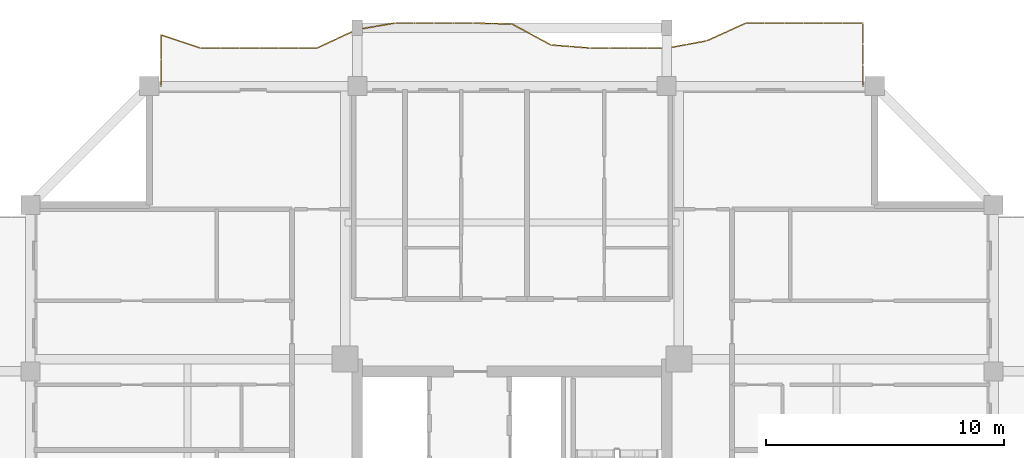
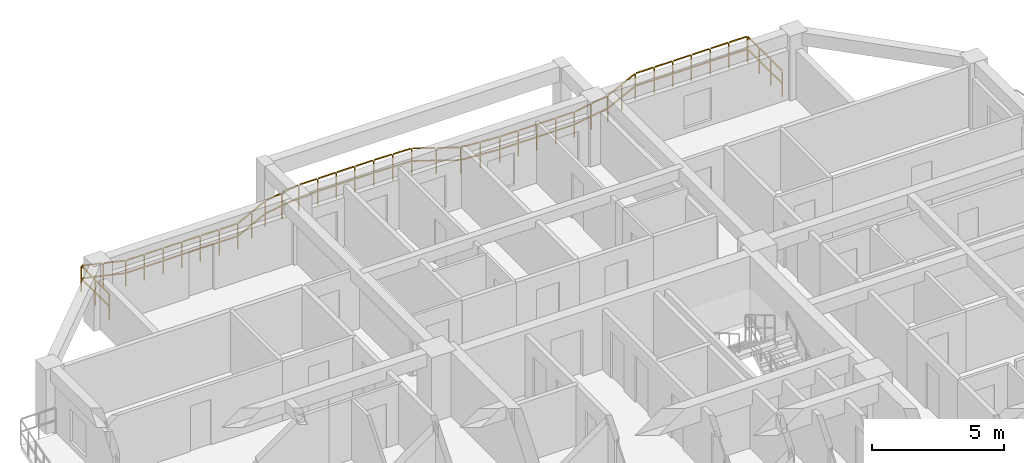
# One storey, part 13 of 13: 1 railing.
"""IFC4 building model written with IfcOpenShell, lengths in metres."""

from ifc_helpers import new_model, si_unit, direction, frame, origin, origin_2d, place, context, subcontext, project, spatial, rectangle, extrude, material, type_object, element, save


model = new_model("IFC4")

# Units and contexts
model_context = context("Model", 3, precision=1e-05, world=origin(), true_north=direction((0.0, 1.0)))
body_context = subcontext(model_context, "Body", "Model", "MODEL_VIEW")
ifc_project = project(units=[si_unit("LENGTHUNIT", "METRE"), si_unit("AREAUNIT", "SQUARE_METRE"), si_unit("VOLUMEUNIT", "CUBIC_METRE"), si_unit("PLANEANGLEUNIT", "RADIAN"), si_unit("MASSUNIT", "GRAM", prefix="KILO")], contexts=[model_context])

# Site, building, storey
site_placement = place(None, origin())
site = spatial("IfcSite", under=ifc_project, at=site_placement, CompositionType="ELEMENT")
building_placement = place(site_placement, origin())
building = spatial("IfcBuilding", under=site, at=building_placement, Name="Saelheon Loggia Tower", CompositionType="ELEMENT")
storey_placement = place(building_placement, frame((0.0, 0.0, 179.800048828125)))
storey = spatial("IfcBuildingStorey", under=building, at=storey_placement, Name="L56", CompositionType="ELEMENT", Elevation=179.800048828125)

# Railing
ifc_material = material(Name="Architectural Precast Concrete and Laminated Glass Guard", Category="concrete")
railing_type = type_object("IfcRailingType", Name="Guard_Loggia_RL_LOG", PredefinedType="BALUSTRADE", material=ifc_material)
railing_placement = place(storey_placement, frame((52.75, 48.0, 0.0)))
element("IfcRailing", 1, at=railing_placement, inside=storey, type_object=railing_type, Name="L56 North Loggia Balustrade", PredefinedType="BALUSTRADE", context=body_context, shape_type="SweptSolid", body=[
    extrude(rectangle(XDim=0.048095703125, YDim=0.048095703125, at=origin_2d()), frame((0.0, 0.033203125, 1.19580078125), z_axis=(0.0, 1.0, 0.0), x_axis=(-1.0, 0.0, 0.0)), (0.0, 0.0, 1.0), 0.81689453125),
    extrude(rectangle(XDim=0.048095703125, YDim=0.048095703125, at=origin_2d()), frame((0.0, 0.033203125, 0.60986328125), z_axis=(0.0, 1.0, 0.0), x_axis=(-1.0, 0.0, 0.0)), (0.0, 0.0, 1.0), 0.81689453125),
    extrude(rectangle(XDim=0.048095703125, YDim=0.048095703125, at=origin_2d()), frame((0.0, 0.91650390625, 1.19580078125), z_axis=(0.0, 1.0, 0.0), x_axis=(-1.0, 0.0, 0.0)), (0.0, 0.0, 1.0), 0.81689453125),
    extrude(rectangle(XDim=0.048095703125, YDim=0.048095703125, at=origin_2d()), frame((0.0, 0.91650390625, 0.60986328125), z_axis=(0.0, 1.0, 0.0), x_axis=(-1.0, 0.0, 0.0)), (0.0, 0.0, 1.0), 0.81689453125),
    extrude(rectangle(XDim=0.048095703125, YDim=0.048095703125, at=origin_2d()), frame((0.0, 1.7998046875, 1.19580078125), z_axis=(0.0, 1.0, 0.0), x_axis=(-1.0, 0.0, 0.0)), (0.0, 0.0, 1.0), 0.81689453125),
    extrude(rectangle(XDim=0.048095703125, YDim=0.048095703125, at=origin_2d()), frame((0.0, 1.7998046875, 0.60986328125), z_axis=(0.0, 1.0, 0.0), x_axis=(-1.0, 0.0, 0.0)), (0.0, 0.0, 1.0), 0.81689453125),
    extrude(rectangle(XDim=0.048095703125, YDim=0.048095703125, at=origin_2d()), frame((-0.033203125, 2.64990234375, 1.19580078125), z_axis=(-1.0, 0.0, 0.0), x_axis=(0.0, -1.0, 0.0)), (0.0, 0.0, 1.0), 0.7529296875),
    extrude(rectangle(XDim=0.048095703125, YDim=0.048095703125, at=origin_2d()), frame((-0.033203125, 2.64990234375, 0.60986328125), z_axis=(-1.0, 0.0, 0.0), x_axis=(0.0, -1.0, 0.0)), (0.0, 0.0, 1.0), 0.7529296875),
    extrude(rectangle(XDim=0.048095703125, YDim=0.048095703125, at=origin_2d()), frame((-0.852783203125, 2.64990234375, 1.19580078125), z_axis=(-1.0, 0.0, 0.0), x_axis=(0.0, -1.0, 0.0)), (0.0, 0.0, 1.0), 0.7529296875),
    extrude(rectangle(XDim=0.048095703125, YDim=0.048095703125, at=origin_2d()), frame((-0.852783203125, 2.64990234375, 0.60986328125), z_axis=(-1.0, 0.0, 0.0), x_axis=(0.0, -1.0, 0.0)), (0.0, 0.0, 1.0), 0.7529296875),
    extrude(rectangle(XDim=0.048095703125, YDim=0.048095703125, at=origin_2d()), frame((-1.672119140625, 2.64990234375, 1.19580078125), z_axis=(-1.0, 0.0, 0.0), x_axis=(0.0, -1.0, 0.0)), (0.0, 0.0, 1.0), 0.7529296875),
    extrude(rectangle(XDim=0.048095703125, YDim=0.048095703125, at=origin_2d()), frame((-1.672119140625, 2.64990234375, 0.60986328125), z_axis=(-1.0, 0.0, 0.0), x_axis=(0.0, -1.0, 0.0)), (0.0, 0.0, 1.0), 0.7529296875),
    extrude(rectangle(XDim=0.048095703125, YDim=0.048095703125, at=origin_2d()), frame((-2.49169921875, 2.64990234375, 1.19580078125), z_axis=(-1.0, 0.0, 0.0), x_axis=(0.0, -1.0, 0.0)), (0.0, 0.0, 1.0), 0.7529296875),
    extrude(rectangle(XDim=0.048095703125, YDim=0.048095703125, at=origin_2d()), frame((-2.49169921875, 2.64990234375, 0.60986328125), z_axis=(-1.0, 0.0, 0.0), x_axis=(0.0, -1.0, 0.0)), (0.0, 0.0, 1.0), 0.7529296875),
    extrude(rectangle(XDim=0.048095703125, YDim=0.048095703125, at=origin_2d()), frame((-3.31103515625, 2.64990234375, 1.19580078125), z_axis=(-1.0, 0.0, 0.0), x_axis=(0.0, -1.0, 0.0)), (0.0, 0.0, 1.0), 0.7529296875),
    extrude(rectangle(XDim=0.048095703125, YDim=0.048095703125, at=origin_2d()), frame((-3.31103515625, 2.64990234375, 0.60986328125), z_axis=(-1.0, 0.0, 0.0), x_axis=(0.0, -1.0, 0.0)), (0.0, 0.0, 1.0), 0.7529296875),
    extrude(rectangle(XDim=0.048095703125, YDim=0.048095703125, at=origin_2d()), frame((-4.130615234375, 2.64990234375, 1.19580078125), z_axis=(-1.0, 0.0, 0.0), x_axis=(0.0, -1.0, 0.0)), (0.0, 0.0, 1.0), 0.7529296875),
    extrude(rectangle(XDim=0.048095703125, YDim=0.048095703125, at=origin_2d()), frame((-4.130615234375, 2.64990234375, 0.60986328125), z_axis=(-1.0, 0.0, 0.0), x_axis=(0.0, -1.0, 0.0)), (0.0, 0.0, 1.0), 0.7529296875),
    extrude(rectangle(XDim=0.048095703125, YDim=0.048095703125, at=origin_2d()), frame((-4.947021484375, 2.63623046875, 1.19580078125), z_axis=(-0.910129532668, -0.414323827176, 0.0), x_axis=(0.414323827176, -0.910129532668, 0.0)), (0.0, 0.0, 1.0), 0.833984375),
    extrude(rectangle(XDim=0.048095703125, YDim=0.048095703125, at=origin_2d()), frame((-4.947021484375, 2.63623046875, 0.60986328125), z_axis=(-0.910129532668, -0.414323827176, 0.0), x_axis=(0.414323827176, -0.910129532668, 0.0)), (0.0, 0.0, 1.0), 0.833984375),
    extrude(rectangle(XDim=0.048095703125, YDim=0.048095703125, at=origin_2d()), frame((-5.766357421875, 2.26318359375, 1.19580078125), z_axis=(-0.910129532668, -0.414323827176, 0.0), x_axis=(0.414323827176, -0.910129532668, 0.0)), (0.0, 0.0, 1.0), 0.833984375),
    extrude(rectangle(XDim=0.048095703125, YDim=0.048095703125, at=origin_2d()), frame((-5.766357421875, 2.26318359375, 0.60986328125), z_axis=(-0.910129532668, -0.414323827176, 0.0), x_axis=(0.414323827176, -0.910129532668, 0.0)), (0.0, 0.0, 1.0), 0.833984375),
    extrude(rectangle(XDim=0.048095703125, YDim=0.048095703125, at=origin_2d()), frame((-6.58837890625, 1.897705078125, 1.19580078125), z_axis=(-0.983254793894, -0.182236138797, 0.0), x_axis=(0.182236138797, -0.983254793894, 0.0)), (0.0, 0.0, 1.0), 0.766845703125),
    extrude(rectangle(XDim=0.048095703125, YDim=0.048095703125, at=origin_2d()), frame((-6.58837890625, 1.897705078125, 0.60986328125), z_axis=(-0.983254793894, -0.182236138797, 0.0), x_axis=(0.182236138797, -0.983254793894, 0.0)), (0.0, 0.0, 1.0), 0.766845703125),
    extrude(rectangle(XDim=0.048095703125, YDim=0.048095703125, at=origin_2d()), frame((-7.40771484375, 1.745849609375, 1.19580078125), z_axis=(-0.983254793894, -0.182236138797, 0.0), x_axis=(0.182236138797, -0.983254793894, 0.0)), (0.0, 0.0, 1.0), 0.766845703125),
    extrude(rectangle(XDim=0.048095703125, YDim=0.048095703125, at=origin_2d()), frame((-7.40771484375, 1.745849609375, 0.60986328125), z_axis=(-0.983254793894, -0.182236138797, 0.0), x_axis=(0.182236138797, -0.983254793894, 0.0)), (0.0, 0.0, 1.0), 0.766845703125),
    extrude(rectangle(XDim=0.048095703125, YDim=0.048095703125, at=origin_2d()), frame((-8.2275390625, 1.60009765625, 1.19580078125), z_axis=(-1.0, 0.0, 0.0), x_axis=(0.0, -1.0, 0.0)), (0.0, 0.0, 1.0), 0.7529296875),
    extrude(rectangle(XDim=0.048095703125, YDim=0.048095703125, at=origin_2d()), frame((-8.2275390625, 1.60009765625, 0.60986328125), z_axis=(-1.0, 0.0, 0.0), x_axis=(0.0, -1.0, 0.0)), (0.0, 0.0, 1.0), 0.7529296875),
    extrude(rectangle(XDim=0.048095703125, YDim=0.048095703125, at=origin_2d()), frame((-9.047119140625, 1.60009765625, 1.19580078125), z_axis=(-1.0, 0.0, 0.0), x_axis=(0.0, -1.0, 0.0)), (0.0, 0.0, 1.0), 0.7529296875),
    extrude(rectangle(XDim=0.048095703125, YDim=0.048095703125, at=origin_2d()), frame((-9.047119140625, 1.60009765625, 0.60986328125), z_axis=(-1.0, 0.0, 0.0), x_axis=(0.0, -1.0, 0.0)), (0.0, 0.0, 1.0), 0.7529296875),
    extrude(rectangle(XDim=0.048095703125, YDim=0.048095703125, at=origin_2d()), frame((-9.866455078125, 1.60009765625, 1.19580078125), z_axis=(-1.0, 0.0, 0.0), x_axis=(0.0, -1.0, 0.0)), (0.0, 0.0, 1.0), 0.7529296875),
    extrude(rectangle(XDim=0.048095703125, YDim=0.048095703125, at=origin_2d()), frame((-9.866455078125, 1.60009765625, 0.60986328125), z_axis=(-1.0, 0.0, 0.0), x_axis=(0.0, -1.0, 0.0)), (0.0, 0.0, 1.0), 0.7529296875),
    extrude(rectangle(XDim=0.048095703125, YDim=0.048095703125, at=origin_2d()), frame((-10.68603515625, 1.60009765625, 1.19580078125), z_axis=(-1.0, 0.0, 0.0), x_axis=(0.0, -1.0, 0.0)), (0.0, 0.0, 1.0), 0.7529296875),
    extrude(rectangle(XDim=0.048095703125, YDim=0.048095703125, at=origin_2d()), frame((-10.68603515625, 1.60009765625, 0.60986328125), z_axis=(-1.0, 0.0, 0.0), x_axis=(0.0, -1.0, 0.0)), (0.0, 0.0, 1.0), 0.7529296875),
    extrude(rectangle(XDim=0.048095703125, YDim=0.048095703125, at=origin_2d()), frame((-11.50537109375, 1.602783203125, 1.19580078125), z_axis=(-0.99695583149, 0.07796839141, 0.0), x_axis=(-0.07796839141, -0.99695583149, 0.0)), (0.0, 0.0, 1.0), 0.75537109375),
    extrude(rectangle(XDim=0.048095703125, YDim=0.048095703125, at=origin_2d()), frame((-11.50537109375, 1.602783203125, 0.60986328125), z_axis=(-0.99695583149, 0.07796839141, 0.0), x_axis=(-0.07796839141, -0.99695583149, 0.0)), (0.0, 0.0, 1.0), 0.75537109375),
    extrude(rectangle(XDim=0.048095703125, YDim=0.048095703125, at=origin_2d()), frame((-12.32470703125, 1.666748046875, 1.19580078125), z_axis=(-0.99695583149, 0.07796839141, 0.0), x_axis=(-0.07796839141, -0.99695583149, 0.0)), (0.0, 0.0, 1.0), 0.75537109375),
    extrude(rectangle(XDim=0.048095703125, YDim=0.048095703125, at=origin_2d()), frame((-12.32470703125, 1.666748046875, 0.60986328125), z_axis=(-0.99695583149, 0.07796839141, 0.0), x_axis=(-0.07796839141, -0.99695583149, 0.0)), (0.0, 0.0, 1.0), 0.75537109375),
    extrude(rectangle(XDim=0.048095703125, YDim=0.048095703125, at=origin_2d()), frame((-13.140380859375, 1.743896484375, 1.19580078125), z_axis=(-0.882149151699, 0.47097014147, 0.0), x_axis=(-0.47097014147, -0.882149151699, 0.0)), (0.0, 0.0, 1.0), 0.862548828125),
    extrude(rectangle(XDim=0.048095703125, YDim=0.048095703125, at=origin_2d()), frame((-13.140380859375, 1.743896484375, 0.60986328125), z_axis=(-0.882149151699, 0.47097014147, 0.0), x_axis=(-0.47097014147, -0.882149151699, 0.0)), (0.0, 0.0, 1.0), 0.862548828125),
    extrude(rectangle(XDim=0.048095703125, YDim=0.048095703125, at=origin_2d()), frame((-13.9599609375, 2.181396484375, 1.19580078125), z_axis=(-0.882149151699, 0.47097014147, 0.0), x_axis=(-0.47097014147, -0.882149151699, 0.0)), (0.0, 0.0, 1.0), 0.862548828125),
    extrude(rectangle(XDim=0.048095703125, YDim=0.048095703125, at=origin_2d()), frame((-13.9599609375, 2.181396484375, 0.60986328125), z_axis=(-0.882149151699, 0.47097014147, 0.0), x_axis=(-0.47097014147, -0.882149151699, 0.0)), (0.0, 0.0, 1.0), 0.862548828125),
    extrude(rectangle(XDim=0.048095703125, YDim=0.048095703125, at=origin_2d()), frame((-14.783203125, 2.604248046875, 1.19580078125), z_axis=(-0.999595480128, 0.028440747312, 0.0), x_axis=(-0.028440747312, -0.999595480128, 0.0)), (0.0, 0.0, 1.0), 0.75341796875),
    extrude(rectangle(XDim=0.048095703125, YDim=0.048095703125, at=origin_2d()), frame((-14.783203125, 2.604248046875, 0.60986328125), z_axis=(-0.999595480128, 0.028440747312, 0.0), x_axis=(-0.028440747312, -0.999595480128, 0.0)), (0.0, 0.0, 1.0), 0.75341796875),
    extrude(rectangle(XDim=0.048095703125, YDim=0.048095703125, at=origin_2d()), frame((-15.602783203125, 2.62744140625, 1.19580078125), z_axis=(-0.999595480128, 0.028440747312, 0.0), x_axis=(-0.028440747312, -0.999595480128, 0.0)), (0.0, 0.0, 1.0), 0.75341796875),
    extrude(rectangle(XDim=0.048095703125, YDim=0.048095703125, at=origin_2d()), frame((-15.602783203125, 2.62744140625, 0.60986328125), z_axis=(-0.999595480128, 0.028440747312, 0.0), x_axis=(-0.028440747312, -0.999595480128, 0.0)), (0.0, 0.0, 1.0), 0.75341796875),
    extrude(rectangle(XDim=0.048095703125, YDim=0.048095703125, at=origin_2d()), frame((-16.422119140625, 2.64990234375, 1.19580078125), z_axis=(-1.0, 0.0, 0.0), x_axis=(0.0, -1.0, 0.0)), (0.0, 0.0, 1.0), 0.7529296875),
    extrude(rectangle(XDim=0.048095703125, YDim=0.048095703125, at=origin_2d()), frame((-16.422119140625, 2.64990234375, 0.60986328125), z_axis=(-1.0, 0.0, 0.0), x_axis=(0.0, -1.0, 0.0)), (0.0, 0.0, 1.0), 0.7529296875),
    extrude(rectangle(XDim=0.048095703125, YDim=0.048095703125, at=origin_2d()), frame((-17.24169921875, 2.64990234375, 1.19580078125), z_axis=(-1.0, 0.0, 0.0), x_axis=(0.0, -1.0, 0.0)), (0.0, 0.0, 1.0), 0.7529296875),
    extrude(rectangle(XDim=0.048095703125, YDim=0.048095703125, at=origin_2d()), frame((-17.24169921875, 2.64990234375, 0.60986328125), z_axis=(-1.0, 0.0, 0.0), x_axis=(0.0, -1.0, 0.0)), (0.0, 0.0, 1.0), 0.7529296875),
    extrude(rectangle(XDim=0.048095703125, YDim=0.048095703125, at=origin_2d()), frame((-18.06103515625, 2.64990234375, 1.19580078125), z_axis=(-1.0, 0.0, 0.0), x_axis=(0.0, -1.0, 0.0)), (0.0, 0.0, 1.0), 0.7529296875),
    extrude(rectangle(XDim=0.048095703125, YDim=0.048095703125, at=origin_2d()), frame((-18.06103515625, 2.64990234375, 0.60986328125), z_axis=(-1.0, 0.0, 0.0), x_axis=(0.0, -1.0, 0.0)), (0.0, 0.0, 1.0), 0.7529296875),
    extrude(rectangle(XDim=0.048095703125, YDim=0.048095703125, at=origin_2d()), frame((-18.880615234375, 2.64990234375, 1.19580078125), z_axis=(-1.0, 0.0, 0.0), x_axis=(0.0, -1.0, 0.0)), (0.0, 0.0, 1.0), 0.7529296875),
    extrude(rectangle(XDim=0.048095703125, YDim=0.048095703125, at=origin_2d()), frame((-18.880615234375, 2.64990234375, 0.60986328125), z_axis=(-1.0, 0.0, 0.0), x_axis=(0.0, -1.0, 0.0)), (0.0, 0.0, 1.0), 0.7529296875),
    extrude(rectangle(XDim=0.048095703125, YDim=0.048095703125, at=origin_2d()), frame((-19.699462890625, 2.644287109375, 1.19580078125), z_axis=(-0.985074661812, -0.172127599926, 0.0), x_axis=(0.172127599926, -0.985074661812, 0.0)), (0.0, 0.0, 1.0), 0.765380859375),
    extrude(rectangle(XDim=0.048095703125, YDim=0.048095703125, at=origin_2d()), frame((-19.699462890625, 2.644287109375, 0.60986328125), z_axis=(-0.985074661812, -0.172127599926, 0.0), x_axis=(0.172127599926, -0.985074661812, 0.0)), (0.0, 0.0, 1.0), 0.765380859375),
    extrude(rectangle(XDim=0.048095703125, YDim=0.048095703125, at=origin_2d()), frame((-20.51904296875, 2.5009765625, 1.19580078125), z_axis=(-0.985074661812, -0.172127599926, 0.0), x_axis=(0.172127599926, -0.985074661812, 0.0)), (0.0, 0.0, 1.0), 0.765380859375),
    extrude(rectangle(XDim=0.048095703125, YDim=0.048095703125, at=origin_2d()), frame((-20.51904296875, 2.5009765625, 0.60986328125), z_axis=(-0.985074661812, -0.172127599926, 0.0), x_axis=(0.172127599926, -0.985074661812, 0.0)), (0.0, 0.0, 1.0), 0.765380859375),
    extrude(rectangle(XDim=0.048095703125, YDim=0.048095703125, at=origin_2d()), frame((-21.335693359375, 2.349609375, 1.19580078125), z_axis=(-0.90645551616, -0.422301310941, 0.0), x_axis=(0.422301310941, -0.90645551616, 0.0)), (0.0, 0.0, 1.0), 0.83740234375),
    extrude(rectangle(XDim=0.048095703125, YDim=0.048095703125, at=origin_2d()), frame((-21.335693359375, 2.349609375, 0.60986328125), z_axis=(-0.90645551616, -0.422301310941, 0.0), x_axis=(0.422301310941, -0.90645551616, 0.0)), (0.0, 0.0, 1.0), 0.83740234375),
    extrude(rectangle(XDim=0.048095703125, YDim=0.048095703125, at=origin_2d()), frame((-22.155029296875, 1.9677734375, 1.19580078125), z_axis=(-0.90645551616, -0.422301310941, 0.0), x_axis=(0.422301310941, -0.90645551616, 0.0)), (0.0, 0.0, 1.0), 0.83740234375),
    extrude(rectangle(XDim=0.048095703125, YDim=0.048095703125, at=origin_2d()), frame((-22.155029296875, 1.9677734375, 0.60986328125), z_axis=(-0.90645551616, -0.422301310941, 0.0), x_axis=(0.422301310941, -0.90645551616, 0.0)), (0.0, 0.0, 1.0), 0.83740234375),
    extrude(rectangle(XDim=0.048095703125, YDim=0.048095703125, at=origin_2d()), frame((-22.9775390625, 1.60009765625, 1.19580078125), z_axis=(-1.0, 0.0, 0.0), x_axis=(0.0, -1.0, 0.0)), (0.0, 0.0, 1.0), 0.7529296875),
    extrude(rectangle(XDim=0.048095703125, YDim=0.048095703125, at=origin_2d()), frame((-22.9775390625, 1.60009765625, 0.60986328125), z_axis=(-1.0, 0.0, 0.0), x_axis=(0.0, -1.0, 0.0)), (0.0, 0.0, 1.0), 0.7529296875),
    extrude(rectangle(XDim=0.048095703125, YDim=0.048095703125, at=origin_2d()), frame((-23.797119140625, 1.60009765625, 1.19580078125), z_axis=(-1.0, 0.0, 0.0), x_axis=(0.0, -1.0, 0.0)), (0.0, 0.0, 1.0), 0.7529296875),
    extrude(rectangle(XDim=0.048095703125, YDim=0.048095703125, at=origin_2d()), frame((-23.797119140625, 1.60009765625, 0.60986328125), z_axis=(-1.0, 0.0, 0.0), x_axis=(0.0, -1.0, 0.0)), (0.0, 0.0, 1.0), 0.7529296875),
    extrude(rectangle(XDim=0.048095703125, YDim=0.048095703125, at=origin_2d()), frame((-24.616455078125, 1.60009765625, 1.19580078125), z_axis=(-1.0, 0.0, 0.0), x_axis=(0.0, -1.0, 0.0)), (0.0, 0.0, 1.0), 0.7529296875),
    extrude(rectangle(XDim=0.048095703125, YDim=0.048095703125, at=origin_2d()), frame((-24.616455078125, 1.60009765625, 0.60986328125), z_axis=(-1.0, 0.0, 0.0), x_axis=(0.0, -1.0, 0.0)), (0.0, 0.0, 1.0), 0.7529296875),
    extrude(rectangle(XDim=0.048095703125, YDim=0.048095703125, at=origin_2d()), frame((-25.43603515625, 1.60009765625, 1.19580078125), z_axis=(-1.0, 0.0, 0.0), x_axis=(0.0, -1.0, 0.0)), (0.0, 0.0, 1.0), 0.7529296875),
    extrude(rectangle(XDim=0.048095703125, YDim=0.048095703125, at=origin_2d()), frame((-25.43603515625, 1.60009765625, 0.60986328125), z_axis=(-1.0, 0.0, 0.0), x_axis=(0.0, -1.0, 0.0)), (0.0, 0.0, 1.0), 0.7529296875),
    extrude(rectangle(XDim=0.048095703125, YDim=0.048095703125, at=origin_2d()), frame((-26.25537109375, 1.60009765625, 1.19580078125), z_axis=(-1.0, 0.0, 0.0), x_axis=(0.0, -1.0, 0.0)), (0.0, 0.0, 1.0), 0.7529296875),
    extrude(rectangle(XDim=0.048095703125, YDim=0.048095703125, at=origin_2d()), frame((-26.25537109375, 1.60009765625, 0.60986328125), z_axis=(-1.0, 0.0, 0.0), x_axis=(0.0, -1.0, 0.0)), (0.0, 0.0, 1.0), 0.7529296875),
    extrude(rectangle(XDim=0.048095703125, YDim=0.048095703125, at=origin_2d()), frame((-27.074951171875, 1.60009765625, 1.19580078125), z_axis=(-1.0, 0.0, 0.0), x_axis=(0.0, -1.0, 0.0)), (0.0, 0.0, 1.0), 0.7529296875),
    extrude(rectangle(XDim=0.048095703125, YDim=0.048095703125, at=origin_2d()), frame((-27.074951171875, 1.60009765625, 0.60986328125), z_axis=(-1.0, 0.0, 0.0), x_axis=(0.0, -1.0, 0.0)), (0.0, 0.0, 1.0), 0.7529296875),
    extrude(rectangle(XDim=0.048095703125, YDim=0.048095703125, at=origin_2d()), frame((-27.892578125, 1.610595703125, 1.19580078125), z_axis=(-0.948074261435, 0.318049044652, 0.0), x_axis=(-0.318049044652, -0.948074261435, 0.0)), (0.0, 0.0, 1.0), 0.7978515625),
    extrude(rectangle(XDim=0.048095703125, YDim=0.048095703125, at=origin_2d()), frame((-27.892578125, 1.610595703125, 0.60986328125), z_axis=(-0.948074261435, 0.318049044652, 0.0), x_axis=(-0.318049044652, -0.948074261435, 0.0)), (0.0, 0.0, 1.0), 0.7978515625),
    extrude(rectangle(XDim=0.048095703125, YDim=0.048095703125, at=origin_2d()), frame((-28.712158203125, 1.885498046875, 1.19580078125), z_axis=(-0.948074261435, 0.318049044652, 0.0), x_axis=(-0.318049044652, -0.948074261435, 0.0)), (0.0, 0.0, 1.0), 0.7978515625),
    extrude(rectangle(XDim=0.048095703125, YDim=0.048095703125, at=origin_2d()), frame((-28.712158203125, 1.885498046875, 0.60986328125), z_axis=(-0.948074261435, 0.318049044652, 0.0), x_axis=(-0.318049044652, -0.948074261435, 0.0)), (0.0, 0.0, 1.0), 0.7978515625),
    extrude(rectangle(XDim=0.048095703125, YDim=0.048095703125, at=origin_2d()), frame((-29.5, 2.11669921875, 1.19580078125), z_axis=(0.0, -1.0, 0.0), x_axis=(1.0, 0.0, 0.0)), (0.0, 0.0, 1.0), 1.008544921875),
    extrude(rectangle(XDim=0.048095703125, YDim=0.048095703125, at=origin_2d()), frame((-29.5, 2.11669921875, 0.60986328125), z_axis=(0.0, -1.0, 0.0), x_axis=(1.0, 0.0, 0.0)), (0.0, 0.0, 1.0), 1.008544921875),
    extrude(rectangle(XDim=0.048095703125, YDim=0.048095703125, at=origin_2d()), frame((-29.5, 1.041748046875, 1.19580078125), z_axis=(0.0, -1.0, 0.0), x_axis=(1.0, 0.0, 0.0)), (0.0, 0.0, 1.0), 1.008544921875),
    extrude(rectangle(XDim=0.048095703125, YDim=0.048095703125, at=origin_2d()), frame((-29.5, 1.041748046875, 0.60986328125), z_axis=(0.0, -1.0, 0.0), x_axis=(1.0, 0.0, 0.0)), (0.0, 0.0, 1.0), 1.008544921875),
    extrude(rectangle(XDim=0.0419921875, YDim=0.0419921875, at=origin_2d()), origin(), (0.0, 0.0, 1.0), 1.16796875),
    extrude(rectangle(XDim=0.0419921875, YDim=0.0419921875, at=origin_2d()), frame((0.0, 0.88330078125, 0.0)), (0.0, 0.0, 1.0), 1.16796875),
    extrude(rectangle(XDim=0.0419921875, YDim=0.0419921875, at=origin_2d()), frame((0.0, 1.7666015625, 0.0)), (0.0, 0.0, 1.0), 1.16796875),
    extrude(rectangle(XDim=0.0419921875, YDim=0.0419921875, at=origin_2d()), frame((0.0, 2.64990234375, 0.0)), (0.0, 0.0, 1.0), 1.16796875),
    extrude(rectangle(XDim=0.0419921875, YDim=0.0419921875, at=origin_2d()), frame((-0.8193359375, 2.64990234375, 0.0)), (0.0, 0.0, 1.0), 1.16796875),
    extrude(rectangle(XDim=0.0419921875, YDim=0.0419921875, at=origin_2d()), frame((-1.638916015625, 2.64990234375, 0.0)), (0.0, 0.0, 1.0), 1.16796875),
    extrude(rectangle(XDim=0.0419921875, YDim=0.0419921875, at=origin_2d()), frame((-2.45849609375, 2.64990234375, 0.0)), (0.0, 0.0, 1.0), 1.16796875),
    extrude(rectangle(XDim=0.0419921875, YDim=0.0419921875, at=origin_2d()), frame((-3.27783203125, 2.64990234375, 0.0)), (0.0, 0.0, 1.0), 1.16796875),
    extrude(rectangle(XDim=0.0419921875, YDim=0.0419921875, at=origin_2d()), frame((-4.09716796875, 2.64990234375, 0.0)), (0.0, 0.0, 1.0), 1.16796875),
    extrude(rectangle(XDim=0.0419921875, YDim=0.0419921875, at=origin_2d()), frame((-4.916748046875, 2.64990234375, 0.0)), (0.0, 0.0, 1.0), 1.16796875),
    extrude(rectangle(XDim=0.0419921875, YDim=0.0419921875, at=origin_2d()), frame((-5.736328125, 2.27685546875, 0.0)), (0.0, 0.0, 1.0), 1.16796875),
    extrude(rectangle(XDim=0.0419921875, YDim=0.0419921875, at=origin_2d()), frame((-6.5556640625, 1.90380859375, 0.0)), (0.0, 0.0, 1.0), 1.16796875),
    extrude(rectangle(XDim=0.0419921875, YDim=0.0419921875, at=origin_2d()), frame((-7.375, 1.751953125, 0.0)), (0.0, 0.0, 1.0), 1.16796875),
    extrude(rectangle(XDim=0.0419921875, YDim=0.0419921875, at=origin_2d()), frame((-8.1943359375, 1.60009765625, 0.0)), (0.0, 0.0, 1.0), 1.16796875),
    extrude(rectangle(XDim=0.0419921875, YDim=0.0419921875, at=origin_2d()), frame((-9.013671875, 1.60009765625, 0.0)), (0.0, 0.0, 1.0), 1.16796875),
    extrude(rectangle(XDim=0.0419921875, YDim=0.0419921875, at=origin_2d()), frame((-9.833251953125, 1.60009765625, 0.0)), (0.0, 0.0, 1.0), 1.16796875),
    extrude(rectangle(XDim=0.0419921875, YDim=0.0419921875, at=origin_2d()), frame((-10.65283203125, 1.60009765625, 0.0)), (0.0, 0.0, 1.0), 1.16796875),
    extrude(rectangle(XDim=0.0419921875, YDim=0.0419921875, at=origin_2d()), frame((-11.47216796875, 1.60009765625, 0.0)), (0.0, 0.0, 1.0), 1.16796875),
    extrude(rectangle(XDim=0.0419921875, YDim=0.0419921875, at=origin_2d()), frame((-12.29150390625, 1.6640625, 0.0)), (0.0, 0.0, 1.0), 1.16796875),
    extrude(rectangle(XDim=0.0419921875, YDim=0.0419921875, at=origin_2d()), frame((-13.111083984375, 1.728271484375, 0.0)), (0.0, 0.0, 1.0), 1.16796875),
    extrude(rectangle(XDim=0.0419921875, YDim=0.0419921875, at=origin_2d()), frame((-13.9306640625, 2.165771484375, 0.0)), (0.0, 0.0, 1.0), 1.16796875),
    extrude(rectangle(XDim=0.0419921875, YDim=0.0419921875, at=origin_2d()), frame((-14.75, 2.603271484375, 0.0)), (0.0, 0.0, 1.0), 1.16796875),
    extrude(rectangle(XDim=0.0419921875, YDim=0.0419921875, at=origin_2d()), frame((-15.5693359375, 2.62646484375, 0.0)), (0.0, 0.0, 1.0), 1.16796875),
    extrude(rectangle(XDim=0.0419921875, YDim=0.0419921875, at=origin_2d()), frame((-16.388916015625, 2.64990234375, 0.0)), (0.0, 0.0, 1.0), 1.16796875),
    extrude(rectangle(XDim=0.0419921875, YDim=0.0419921875, at=origin_2d()), frame((-17.20849609375, 2.64990234375, 0.0)), (0.0, 0.0, 1.0), 1.16796875),
    extrude(rectangle(XDim=0.0419921875, YDim=0.0419921875, at=origin_2d()), frame((-18.02783203125, 2.64990234375, 0.0)), (0.0, 0.0, 1.0), 1.16796875),
    extrude(rectangle(XDim=0.0419921875, YDim=0.0419921875, at=origin_2d()), frame((-18.84716796875, 2.64990234375, 0.0)), (0.0, 0.0, 1.0), 1.16796875),
    extrude(rectangle(XDim=0.0419921875, YDim=0.0419921875, at=origin_2d()), frame((-19.666748046875, 2.64990234375, 0.0)), (0.0, 0.0, 1.0), 1.16796875),
    extrude(rectangle(XDim=0.0419921875, YDim=0.0419921875, at=origin_2d()), frame((-20.486328125, 2.5068359375, 0.0)), (0.0, 0.0, 1.0), 1.16796875),
    extrude(rectangle(XDim=0.0419921875, YDim=0.0419921875, at=origin_2d()), frame((-21.3056640625, 2.363525390625, 0.0)), (0.0, 0.0, 1.0), 1.16796875),
    extrude(rectangle(XDim=0.0419921875, YDim=0.0419921875, at=origin_2d()), frame((-22.125, 1.98193359375, 0.0)), (0.0, 0.0, 1.0), 1.16796875),
    extrude(rectangle(XDim=0.0419921875, YDim=0.0419921875, at=origin_2d()), frame((-22.9443359375, 1.60009765625, 0.0)), (0.0, 0.0, 1.0), 1.16796875),
    extrude(rectangle(XDim=0.0419921875, YDim=0.0419921875, at=origin_2d()), frame((-23.763671875, 1.60009765625, 0.0)), (0.0, 0.0, 1.0), 1.16796875),
    extrude(rectangle(XDim=0.0419921875, YDim=0.0419921875, at=origin_2d()), frame((-24.583251953125, 1.60009765625, 0.0)), (0.0, 0.0, 1.0), 1.16796875),
    extrude(rectangle(XDim=0.0419921875, YDim=0.0419921875, at=origin_2d()), frame((-25.40283203125, 1.60009765625, 0.0)), (0.0, 0.0, 1.0), 1.16796875),
    extrude(rectangle(XDim=0.0419921875, YDim=0.0419921875, at=origin_2d()), frame((-26.22216796875, 1.60009765625, 0.0)), (0.0, 0.0, 1.0), 1.16796875),
    extrude(rectangle(XDim=0.0419921875, YDim=0.0419921875, at=origin_2d()), frame((-27.04150390625, 1.60009765625, 0.0)), (0.0, 0.0, 1.0), 1.16796875),
    extrude(rectangle(XDim=0.0419921875, YDim=0.0419921875, at=origin_2d()), frame((-27.861083984375, 1.60009765625, 0.0)), (0.0, 0.0, 1.0), 1.16796875),
    extrude(rectangle(XDim=0.0419921875, YDim=0.0419921875, at=origin_2d()), frame((-28.6806640625, 1.875, 0.0)), (0.0, 0.0, 1.0), 1.16796875),
    extrude(rectangle(XDim=0.0419921875, YDim=0.0419921875, at=origin_2d()), frame((-29.5, 2.14990234375, 0.0)), (0.0, 0.0, 1.0), 1.16796875),
    extrude(rectangle(XDim=0.0419921875, YDim=0.0419921875, at=origin_2d()), frame((-29.5, 1.074951171875, 0.0)), (0.0, 0.0, 1.0), 1.16796875),
    extrude(rectangle(XDim=0.0419921875, YDim=0.0419921875, at=origin_2d()), frame((-29.5, 0.0, 0.0)), (0.0, 0.0, 1.0), 1.16796875),
])

save(model, "model.ifc")
